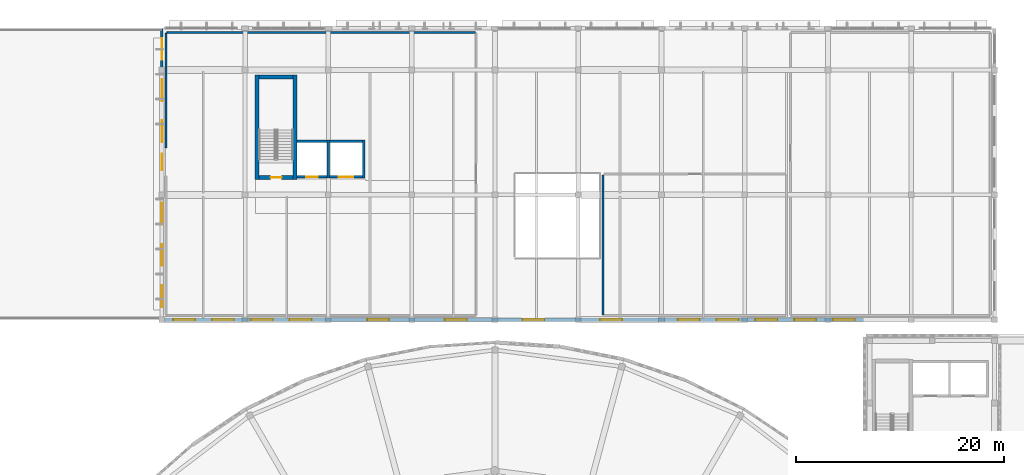
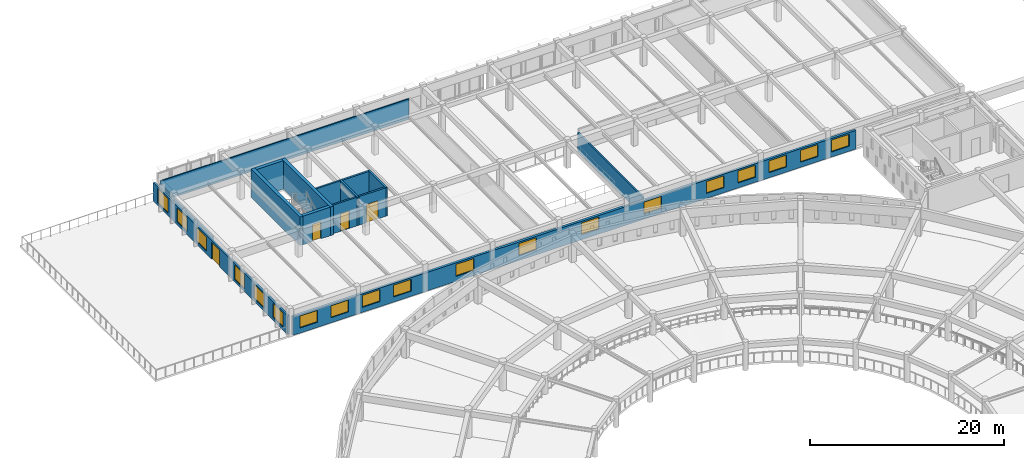
# One storey, part 117 of 155: 19 windows, 15 walls, 4 doors, 23 openings.
"""IFC4 building model written with IfcOpenShell, lengths in metres."""

import ifcopenshell
import ifcopenshell.guid

model = None  # the IFC model being written
_history = None  # IfcOwnerHistory: only IFC2X3 demands one
_inside = {}  # id of a spatial element -> (the spatial element, [elements in it])
_under = {}  # id of a project, library or spatial element -> (it, [spatial elements below it])
_declared = {}  # id of a project -> (the project, [libraries it declares])
_typed = {}  # id of a type object -> (the type object, [elements of that type])
_made_of = {}  # id of a material, layer set ... -> (it, [elements and type objects made of it])


def new_model(schema):
    """Start an empty IFC model of exactly this schema.

    Asked for "IFC4X3", IfcOpenShell would pick the latest addendum, in which some entities
    have other attributes; the version numbers below select the first issue.
    IFC2X3 requires an IfcOwnerHistory on every rooted entity: one is made here for all.
    """
    global model, _history
    if schema == "IFC4X3":
        model = ifcopenshell.file(schema_version=(4, 3, 0, 0))
    else:
        model = ifcopenshell.file(schema=schema)
    _inside.clear()
    _under.clear()
    _declared.clear()
    _typed.clear()
    _made_of.clear()
    _history = None
    if model.schema == "IFC2X3":
        org = make("IfcOrganization", Name="unknown")
        user = make(
            "IfcPersonAndOrganization",
            ThePerson=make("IfcPerson", FamilyName="unknown"),
            TheOrganization=org,
        )
        app = make(
            "IfcApplication",
            ApplicationDeveloper=org,
            Version="unknown",
            ApplicationFullName="unknown",
            ApplicationIdentifier="unknown",
        )
        _history = make(
            "IfcOwnerHistory",
            OwningUser=user,
            OwningApplication=app,
            ChangeAction="ADDED",
            CreationDate=0,
        )
    return model


def make(cls, **values):
    """One entity of the class cls with the attributes given. An attribute that is None is left unset."""
    return model.create_entity(
        cls, **{name: value for name, value in values.items() if value is not None}
    )


def rooted(cls, **values):
    """An entity with a GlobalId (a new one), such as an element, a storey or a relation."""
    return make(cls, GlobalId=ifcopenshell.guid.new(), OwnerHistory=_history, **values)


def si_unit(unit_type, name, prefix=None):
    """IfcSIUnit, for example si_unit("LENGTHUNIT", "METRE", prefix="MILLI")."""
    return make("IfcSIUnit", UnitType=unit_type, Prefix=prefix, Name=name)


def assignment(units):
    """IfcUnitAssignment: the units of a project."""
    return None if units is None else make("IfcUnitAssignment", Units=units)


def point(xyz):
    """IfcCartesianPoint."""
    return None if xyz is None else make("IfcCartesianPoint", Coordinates=xyz)


def direction(xyz):
    """IfcDirection."""
    return None if xyz is None else make("IfcDirection", DirectionRatios=xyz)


def frame(location, z_axis=None, x_axis=None):
    """IfcAxis2Placement3D, a coordinate frame: its origin and axes. An axis left out is left unset."""
    return make(
        "IfcAxis2Placement3D",
        Location=point(location),
        Axis=direction(z_axis),
        RefDirection=direction(x_axis),
    )


def frame_2d(location, x_axis=None):
    """IfcAxis2Placement2D, a coordinate frame in the plane: its origin and x axis."""
    return make(
        "IfcAxis2Placement2D", Location=point(location), RefDirection=direction(x_axis)
    )


def origin():
    """The frame at (0, 0, 0) with its axes left unset."""
    return frame((0.0, 0.0, 0.0))


def place(relative_to, where):
    """IfcLocalPlacement: puts the frame where relative to a parent placement (None: the world)."""
    return make(
        "IfcLocalPlacement", PlacementRelTo=relative_to, RelativePlacement=where
    )


def context(
    kind, dimensions, precision=None, world=None, true_north=None, identifier=None
):
    """IfcGeometricRepresentationContext, for example the 3D "Model" context."""
    return make(
        "IfcGeometricRepresentationContext",
        ContextIdentifier=identifier,
        ContextType=kind,
        CoordinateSpaceDimension=dimensions,
        Precision=precision,
        WorldCoordinateSystem=world,
        TrueNorth=true_north,
    )


def subcontext(parent, identifier, kind, view, scale=None):
    """IfcGeometricRepresentationSubContext, for example "Body" below "Model"."""
    return make(
        "IfcGeometricRepresentationSubContext",
        ContextIdentifier=identifier,
        ContextType=kind,
        ParentContext=parent,
        TargetScale=scale,
        TargetView=view,
    )


def project(units=None, contexts=None):
    """IfcProject with its units and contexts."""
    return rooted(
        "IfcProject",
        Name="project",
        RepresentationContexts=contexts,
        UnitsInContext=assignment(units),
    )


def spatial(cls, under=None, at=None, **own):
    """A site, building, storey or space (cls), placed at a placement, below another one or the project."""
    s = rooted(cls, ObjectPlacement=at, **own)
    if under is not None:
        _under.setdefault(under.id(), (under, []))[1].append(s)
    return s


def profile(cls, at=None, kind="AREA", **sizes):
    """A parametric profile (cls). Its sizes go by their IFC names, for example OverallWidth=200.0."""
    return make(cls, ProfileType=kind, Position=at, **sizes)


def rectangle(**sizes):
    """IfcRectangleProfileDef."""
    return profile("IfcRectangleProfileDef", **sizes)


def extrude(swept, where, along, depth):
    """IfcExtrudedAreaSolid: the profile swept, set in the frame where, extruded along a direction by depth."""
    return make(
        "IfcExtrudedAreaSolid",
        SweptArea=swept,
        Position=where,
        ExtrudedDirection=direction(along),
        Depth=depth,
    )


def shape(context_of_items, identifier, shape_type, items):
    """IfcShapeRepresentation: the items that make up one representation, for example the "Body"."""
    return make(
        "IfcShapeRepresentation",
        ContextOfItems=context_of_items,
        RepresentationIdentifier=identifier,
        RepresentationType=shape_type,
        Items=items,
    )


def material(Name=None, Category=None):
    """IfcMaterial."""
    return make("IfcMaterial", Name=Name, Category=Category)


def layer(
    of_material, thickness, ventilated=None, Name=None, Category=None, Priority=None
):
    """IfcMaterialLayer: one layer of a wall or slab, of a material (None: an air gap)."""
    return make(
        "IfcMaterialLayer",
        Material=of_material,
        LayerThickness=thickness,
        IsVentilated=ventilated,
        Name=Name,
        Category=Category,
        Priority=Priority,
    )


def layer_set(layers, Name=None):
    """IfcMaterialLayerSet."""
    return make("IfcMaterialLayerSet", MaterialLayers=layers, LayerSetName=Name)


def made_of(thing, what):
    """Note that an element or type object is made of a material, layer set ...; save() writes the relation."""
    if what is not None:
        _made_of.setdefault(what.id(), (what, []))[1].append(thing)
    return thing


def type_object(cls, material=None, **own):
    """A type object (cls), such as IfcWallType, which elements share."""
    return made_of(rooted(cls, **own), material)


def element(
    cls,
    number,
    at=None,
    inside=None,
    cuts=None,
    type_object=None,
    material=None,
    context=None,
    identifier="Body",
    shape_type=None,
    held_by="IfcProductDefinitionShape",
    body=None,
    shapes=None,
    **own,
):
    """One element of the class cls, such as IfcWall. Its Tag is "e" and its number.

    at: its placement. inside: the storey or other place that contains it. cuts: it is an
    opening in that element (IfcRelVoidsElement). A single representation is given by context,
    identifier, shape_type and body (its items); several are given by shapes. held_by: the class
    of the entity that holds the representations. save() writes the other relations.
    """
    e = rooted(cls, Tag="e%d" % number, ObjectPlacement=at, **own)
    if body is not None:
        shapes = [shape(context, identifier, shape_type, body)]
    if shapes is not None:
        e.Representation = make(held_by, Representations=shapes)
    if inside is not None:
        _inside.setdefault(inside.id(), (inside, []))[1].append(e)
    if cuts is not None:
        rooted(
            "IfcRelVoidsElement", RelatingBuildingElement=cuts, RelatedOpeningElement=e
        )
    if type_object is not None:
        _typed.setdefault(type_object.id(), (type_object, []))[1].append(e)
    return made_of(e, material)


def fill(opening, filler):
    """IfcRelFillsElement: the door or window that sits in an opening."""
    return rooted(
        "IfcRelFillsElement",
        RelatingOpeningElement=opening,
        RelatedBuildingElement=filler,
    )


def aggregate(whole, parts):
    """IfcRelAggregates: a whole, such as a stair, and the parts it consists of."""
    return rooted("IfcRelAggregates", RelatingObject=whole, RelatedObjects=parts)


def save(model, path):
    """Write the relations noted so far, then the file.

    IfcRelAggregates (storeys below a building ...), IfcRelContainedInSpatialStructure (elements
    in a storey), IfcRelDefinesByType, IfcRelAssociatesMaterial and IfcRelDeclares: one each for
    every whole, place, type object, material and project.
    """
    for whole, parts in _under.values():
        aggregate(whole, parts)
    for where, things in _inside.values():
        rooted(
            "IfcRelContainedInSpatialStructure",
            RelatedElements=things,
            RelatingStructure=where,
        )
    for kind, things in _typed.values():
        rooted("IfcRelDefinesByType", RelatedObjects=things, RelatingType=kind)
    for what, things in _made_of.values():
        rooted("IfcRelAssociatesMaterial", RelatedObjects=things, RelatingMaterial=what)
    for by, libraries in _declared.values():
        rooted("IfcRelDeclares", RelatingContext=by, RelatedDefinitions=libraries)
    model.write(path)


model = new_model("IFC4")

# Units and contexts
model_context = context("Model", 3, precision=1e-05, world=origin(), true_north=direction((0.0, 1.0)))
body_context = subcontext(model_context, "Body", "Model", "MODEL_VIEW")
ifc_project = project(units=[si_unit("LENGTHUNIT", "METRE"), si_unit("AREAUNIT", "SQUARE_METRE"), si_unit("VOLUMEUNIT", "CUBIC_METRE"), si_unit("PLANEANGLEUNIT", "RADIAN"), si_unit("MASSUNIT", "GRAM", prefix="KILO")], contexts=[model_context])

# Site, building, storey
site_placement = place(None, origin())
site = spatial("IfcSite", under=ifc_project, at=site_placement, CompositionType="ELEMENT")
building_placement = place(site_placement, origin())
building = spatial("IfcBuilding", under=site, at=building_placement, Name="Larkveld Mobility Hub", CompositionType="ELEMENT")
storey_placement = place(building_placement, frame((0.0, 0.0, 8.39990234375)))
storey = spatial("IfcBuildingStorey", under=building, at=storey_placement, Name="L02", CompositionType="ELEMENT", Elevation=8.39990234375)

# Wall, openings, door, windows
ifc_material_1 = material(Name="Precast concrete C50/60", Category="concrete")
ifc_layer_1 = layer(ifc_material_1, 0.239990234375, Name="Precast concrete C50/60", Category="concrete")
ifc_layer_set_1 = layer_set([ifc_layer_1], Name="Precast concrete C50/60")
wall_type_1 = type_object("IfcWallType", Name="WL-EXT-240", PredefinedType="SOLIDWALL", material=ifc_layer_set_1)
wall_1_placement = place(storey_placement, frame((16.0, 126.0, 0.0), z_axis=(0.0, 0.0, 1.0), x_axis=(0.0, -1.0, 0.0)))
wall_1 = element("IfcWall", 1, at=wall_1_placement, inside=storey, type_object=wall_type_1, Name="Bicycle Hall West End Wall L02-0196", PredefinedType="SOLIDWALL", context=body_context, shape_type="SweptSolid", body=[
    extrude(rectangle(XDim=27.715087890625, YDim=0.239990234375, at=frame_2d((13.857421875, 0.0))), origin(), (0.0, 0.0, 1.0), 2.34521484375),
])
opening_1_placement = place(wall_1_placement, frame((12.04296875, 0.0, 0.0)))
opening_1 = element("IfcOpeningElement", 2, at=opening_1_placement, cuts=wall_1, Name="Opening ED07", PredefinedType="OPENING", context=body_context, shape_type="SweptSolid", body=[
    extrude(rectangle(XDim=1.60009765625, YDim=2.10009765625, at=frame_2d((0.800048828125, 1.050048828125))), frame((0.0, 0.1298828125, 0.0), z_axis=(0.0, -1.0, 0.0), x_axis=(1.0, 0.0, 0.0)), (0.0, 0.0, 1.0), 0.260009765625),
])
opening_2_placement = place(wall_1_placement, frame((0.929931640625, 0.0, 0.35009765625)))
opening_2 = element("IfcOpeningElement", 3, at=opening_2_placement, cuts=wall_1, Name="Opening W13", PredefinedType="OPENING", context=body_context, shape_type="SweptSolid", body=[
    extrude(rectangle(XDim=2.10009765625, YDim=1.800048828125, at=frame_2d((1.050048828125, 0.89990234375))), frame((0.0, 0.1298828125, 0.0), z_axis=(0.0, -1.0, 0.0), x_axis=(1.0, 0.0, 0.0)), (0.0, 0.0, 1.0), 0.260009765625),
])
opening_3_placement = place(wall_1_placement, frame((4.888916015625, 0.0, 0.35009765625)))
opening_3 = element("IfcOpeningElement", 4, at=opening_3_placement, cuts=wall_1, Name="Opening W13", PredefinedType="OPENING", context=body_context, shape_type="SweptSolid", body=[
    extrude(rectangle(XDim=2.10009765625, YDim=1.800048828125, at=frame_2d((1.050048828125, 0.89990234375))), frame((0.0, 0.1298828125, 0.0), z_axis=(0.0, -1.0, 0.0), x_axis=(1.0, 0.0, 0.0)), (0.0, 0.0, 1.0), 0.260009765625),
])
opening_4_placement = place(wall_1_placement, frame((8.847900390625, 0.0, 0.35009765625)))
opening_4 = element("IfcOpeningElement", 5, at=opening_4_placement, cuts=wall_1, Name="Opening W13", PredefinedType="OPENING", context=body_context, shape_type="SweptSolid", body=[
    extrude(rectangle(XDim=2.10009765625, YDim=1.800048828125, at=frame_2d((1.050048828125, 0.89990234375))), frame((0.0, 0.1298828125, 0.0), z_axis=(0.0, -1.0, 0.0), x_axis=(1.0, 0.0, 0.0)), (0.0, 0.0, 1.0), 0.260009765625),
])
opening_5_placement = place(wall_1_placement, frame((16.76708984375, 0.0, 0.35009765625)))
opening_5 = element("IfcOpeningElement", 6, at=opening_5_placement, cuts=wall_1, Name="Opening W13", PredefinedType="OPENING", context=body_context, shape_type="SweptSolid", body=[
    extrude(rectangle(XDim=2.10009765625, YDim=1.800048828125, at=frame_2d((1.050048828125, 0.89990234375))), frame((0.0, 0.1298828125, 0.0), z_axis=(0.0, -1.0, 0.0), x_axis=(1.0, 0.0, 0.0)), (0.0, 0.0, 1.0), 0.260009765625),
])
opening_6_placement = place(wall_1_placement, frame((20.72607421875, 0.0, 0.35009765625)))
opening_6 = element("IfcOpeningElement", 7, at=opening_6_placement, cuts=wall_1, Name="Opening W13", PredefinedType="OPENING", context=body_context, shape_type="SweptSolid", body=[
    extrude(rectangle(XDim=2.10009765625, YDim=1.800048828125, at=frame_2d((1.050048828125, 0.89990234375))), frame((0.0, 0.1298828125, 0.0), z_axis=(0.0, -1.0, 0.0), x_axis=(1.0, 0.0, 0.0)), (0.0, 0.0, 1.0), 0.260009765625),
])
opening_7_placement = place(wall_1_placement, frame((24.68505859375, 0.0, 0.35009765625)))
opening_7 = element("IfcOpeningElement", 8, at=opening_7_placement, cuts=wall_1, Name="Opening W13", PredefinedType="OPENING", context=body_context, shape_type="SweptSolid", body=[
    extrude(rectangle(XDim=2.10009765625, YDim=1.800048828125, at=frame_2d((1.050048828125, 0.89990234375))), frame((0.0, 0.1298828125, 0.0), z_axis=(0.0, -1.0, 0.0), x_axis=(1.0, 0.0, 0.0)), (0.0, 0.0, 1.0), 0.260009765625),
])
ifc_material_2 = material(Name="Anodised aluminium glazed terrace door", Category="aluminium")
door_type_1 = type_object("IfcDoorType", Name="DR-EXT-TER16", OperationType="DOUBLE_DOOR_SINGLE_SWING", PredefinedType="DOOR", material=ifc_material_2)
door_1_placement = place(opening_1_placement, origin())
door_1 = element("IfcDoor", 9, at=door_1_placement, inside=storey, type_object=door_type_1, Name="West Cycle Terrace Door L02 EDR-L02-016", OperationType="DOUBLE_DOOR_SINGLE_SWING", OverallHeight=2.10009765625, OverallWidth=1.60009765625, PredefinedType="DOOR", context=body_context, shape_type="SweptSolid", body=[
    extrude(rectangle(XDim=1.60009765625, YDim=2.10009765625, at=frame_2d((0.800048828125, 1.050048828125))), frame((0.0, 0.02490234375, 0.0), z_axis=(0.0, -1.0, 0.0), x_axis=(1.0, 0.0, 0.0)), (0.0, 0.0, 1.0), 0.050048828125),
])
fill(opening_1, door_1)
ifc_material_3 = material(Name="Low-E double glazing in aluminium frame", Category="aluminium")
window_type_1 = type_object("IfcWindowType", Name="WN-ALU-13", PartitioningType="SINGLE_PANEL", PredefinedType="WINDOW", material=ifc_material_3)
window_1_placement = place(opening_2_placement, origin())
window_1 = element("IfcWindow", 10, at=window_1_placement, inside=storey, type_object=window_type_1, Name="Window W13 (0946)", OverallHeight=1.800048828125, OverallWidth=2.10009765625, PartitioningType="SINGLE_PANEL", PredefinedType="WINDOW", context=body_context, shape_type="SweptSolid", body=[
    extrude(rectangle(XDim=2.10009765625, YDim=1.800048828125, at=frame_2d((1.050048828125, 0.89990234375))), frame((0.0, 0.030029296875, 0.0), z_axis=(0.0, -1.0, 0.0), x_axis=(1.0, 0.0, 0.0)), (0.0, 0.0, 1.0), 0.06005859375),
])
fill(opening_2, window_1)
window_2_placement = place(opening_3_placement, origin())
window_2 = element("IfcWindow", 11, at=window_2_placement, inside=storey, type_object=window_type_1, Name="Window W13 (0947)", OverallHeight=1.800048828125, OverallWidth=2.10009765625, PartitioningType="SINGLE_PANEL", PredefinedType="WINDOW", context=body_context, shape_type="SweptSolid", body=[
    extrude(rectangle(XDim=2.10009765625, YDim=1.800048828125, at=frame_2d((1.050048828125, 0.89990234375))), frame((0.0, 0.030029296875, 0.0), z_axis=(0.0, -1.0, 0.0), x_axis=(1.0, 0.0, 0.0)), (0.0, 0.0, 1.0), 0.06005859375),
])
fill(opening_3, window_2)
window_3_placement = place(opening_4_placement, origin())
window_3 = element("IfcWindow", 12, at=window_3_placement, inside=storey, type_object=window_type_1, Name="Window W13 (0948)", OverallHeight=1.800048828125, OverallWidth=2.10009765625, PartitioningType="SINGLE_PANEL", PredefinedType="WINDOW", context=body_context, shape_type="SweptSolid", body=[
    extrude(rectangle(XDim=2.10009765625, YDim=1.800048828125, at=frame_2d((1.050048828125, 0.89990234375))), frame((0.0, 0.030029296875, 0.0), z_axis=(0.0, -1.0, 0.0), x_axis=(1.0, 0.0, 0.0)), (0.0, 0.0, 1.0), 0.06005859375),
])
fill(opening_4, window_3)
window_4_placement = place(opening_5_placement, origin())
window_4 = element("IfcWindow", 13, at=window_4_placement, inside=storey, type_object=window_type_1, Name="Window W13 (0949)", OverallHeight=1.800048828125, OverallWidth=2.10009765625, PartitioningType="SINGLE_PANEL", PredefinedType="WINDOW", context=body_context, shape_type="SweptSolid", body=[
    extrude(rectangle(XDim=2.10009765625, YDim=1.800048828125, at=frame_2d((1.050048828125, 0.89990234375))), frame((0.0, 0.030029296875, 0.0), z_axis=(0.0, -1.0, 0.0), x_axis=(1.0, 0.0, 0.0)), (0.0, 0.0, 1.0), 0.06005859375),
])
fill(opening_5, window_4)
window_5_placement = place(opening_6_placement, origin())
window_5 = element("IfcWindow", 14, at=window_5_placement, inside=storey, type_object=window_type_1, Name="Window W13 (0950)", OverallHeight=1.800048828125, OverallWidth=2.10009765625, PartitioningType="SINGLE_PANEL", PredefinedType="WINDOW", context=body_context, shape_type="SweptSolid", body=[
    extrude(rectangle(XDim=2.10009765625, YDim=1.800048828125, at=frame_2d((1.050048828125, 0.89990234375))), frame((0.0, 0.030029296875, 0.0), z_axis=(0.0, -1.0, 0.0), x_axis=(1.0, 0.0, 0.0)), (0.0, 0.0, 1.0), 0.06005859375),
])
fill(opening_6, window_5)
window_6_placement = place(opening_7_placement, origin())
window_6 = element("IfcWindow", 15, at=window_6_placement, inside=storey, type_object=window_type_1, Name="Window W13 (0951)", OverallHeight=1.800048828125, OverallWidth=2.10009765625, PartitioningType="SINGLE_PANEL", PredefinedType="WINDOW", context=body_context, shape_type="SweptSolid", body=[
    extrude(rectangle(XDim=2.10009765625, YDim=1.800048828125, at=frame_2d((1.050048828125, 0.89990234375))), frame((0.0, 0.030029296875, 0.0), z_axis=(0.0, -1.0, 0.0), x_axis=(1.0, 0.0, 0.0)), (0.0, 0.0, 1.0), 0.06005859375),
])
fill(opening_7, window_6)

# Wall, openings, windows
ifc_layer_2 = layer(ifc_material_1, 0.300048828125, Name="Precast concrete C50/60", Category="concrete")
ifc_layer_set_2 = layer_set([ifc_layer_2], Name="Precast concrete C50/60")
wall_type_2 = type_object("IfcWallType", Name="WL-EXT-300", PredefinedType="SOLIDWALL", material=ifc_layer_set_2)
wall_2_placement = place(storey_placement, frame((16.284912109375, 98.0, 0.0), z_axis=(0.0, 0.0, 1.0), x_axis=(1.0, 0.0, 0.0)))
wall_2 = element("IfcWall", 16, at=wall_2_placement, inside=storey, type_object=wall_type_2, Name="Bicycle Hall South Court Wall L02-0195", PredefinedType="SOLIDWALL", context=body_context, shape_type="SweptSolid", body=[
    extrude(rectangle(XDim=67.114990234375, YDim=0.300048828125, at=frame_2d((33.5576171875, 0.0))), origin(), (0.0, 0.0, 1.0), 2.34521484375),
])
opening_8_placement = place(wall_2_placement, frame((0.81396484375, 0.0, 0.64501953125)))
opening_8 = element("IfcOpeningElement", 17, at=opening_8_placement, cuts=wall_2, Name="Opening W08", PredefinedType="OPENING", context=body_context, shape_type="SweptSolid", body=[
    extrude(rectangle(XDim=2.10009765625, YDim=1.5, at=frame_2d((1.050048828125, 0.75))), frame((0.0, 0.16015625, 0.0), z_axis=(0.0, -1.0, 0.0), x_axis=(1.0, 0.0, 0.0)), (0.0, 0.0, 1.0), 0.320068359375),
])
opening_9_placement = place(wall_2_placement, frame((4.54296875, 0.0, 0.64501953125)))
opening_9 = element("IfcOpeningElement", 18, at=opening_9_placement, cuts=wall_2, Name="Opening W08", PredefinedType="OPENING", context=body_context, shape_type="SweptSolid", body=[
    extrude(rectangle(XDim=2.10009765625, YDim=1.5, at=frame_2d((1.050048828125, 0.75))), frame((0.0, 0.16015625, 0.0), z_axis=(0.0, -1.0, 0.0), x_axis=(1.0, 0.0, 0.0)), (0.0, 0.0, 1.0), 0.320068359375),
])
opening_10_placement = place(wall_2_placement, frame((8.27197265625, 0.0, 0.64501953125)))
opening_10 = element("IfcOpeningElement", 19, at=opening_10_placement, cuts=wall_2, Name="Opening W08", PredefinedType="OPENING", context=body_context, shape_type="SweptSolid", body=[
    extrude(rectangle(XDim=2.10009765625, YDim=1.5, at=frame_2d((1.050048828125, 0.75))), frame((0.0, 0.16015625, 0.0), z_axis=(0.0, -1.0, 0.0), x_axis=(1.0, 0.0, 0.0)), (0.0, 0.0, 1.0), 0.320068359375),
])
opening_11_placement = place(wall_2_placement, frame((12.0, 0.0, 0.64501953125)))
opening_11 = element("IfcOpeningElement", 20, at=opening_11_placement, cuts=wall_2, Name="Opening W08", PredefinedType="OPENING", context=body_context, shape_type="SweptSolid", body=[
    extrude(rectangle(XDim=2.10009765625, YDim=1.5, at=frame_2d((1.050048828125, 0.75))), frame((0.0, 0.16015625, 0.0), z_axis=(0.0, -1.0, 0.0), x_axis=(1.0, 0.0, 0.0)), (0.0, 0.0, 1.0), 0.320068359375),
])
opening_12_placement = place(wall_2_placement, frame((19.45703125, 0.0, 0.64501953125)))
opening_12 = element("IfcOpeningElement", 21, at=opening_12_placement, cuts=wall_2, Name="Opening W08", PredefinedType="OPENING", context=body_context, shape_type="SweptSolid", body=[
    extrude(rectangle(XDim=2.10009765625, YDim=1.5, at=frame_2d((1.050048828125, 0.75))), frame((0.0, 0.16015625, 0.0), z_axis=(0.0, -1.0, 0.0), x_axis=(1.0, 0.0, 0.0)), (0.0, 0.0, 1.0), 0.320068359375),
])
opening_13_placement = place(wall_2_placement, frame((26.9150390625, 0.0, 0.64501953125)))
opening_13 = element("IfcOpeningElement", 22, at=opening_13_placement, cuts=wall_2, Name="Opening W08", PredefinedType="OPENING", context=body_context, shape_type="SweptSolid", body=[
    extrude(rectangle(XDim=2.10009765625, YDim=1.5, at=frame_2d((1.050048828125, 0.75))), frame((0.0, 0.16015625, 0.0), z_axis=(0.0, -1.0, 0.0), x_axis=(1.0, 0.0, 0.0)), (0.0, 0.0, 1.0), 0.320068359375),
])
opening_14_placement = place(wall_2_placement, frame((34.3720703125, 0.0, 0.64501953125)))
opening_14 = element("IfcOpeningElement", 23, at=opening_14_placement, cuts=wall_2, Name="Opening W08", PredefinedType="OPENING", context=body_context, shape_type="SweptSolid", body=[
    extrude(rectangle(XDim=2.10009765625, YDim=1.5, at=frame_2d((1.050048828125, 0.75))), frame((0.0, 0.16015625, 0.0), z_axis=(0.0, -1.0, 0.0), x_axis=(1.0, 0.0, 0.0)), (0.0, 0.0, 1.0), 0.320068359375),
])
opening_15_placement = place(wall_2_placement, frame((41.8291015625, 0.0, 0.64501953125)))
opening_15 = element("IfcOpeningElement", 24, at=opening_15_placement, cuts=wall_2, Name="Opening W08", PredefinedType="OPENING", context=body_context, shape_type="SweptSolid", body=[
    extrude(rectangle(XDim=2.10009765625, YDim=1.5, at=frame_2d((1.050048828125, 0.75))), frame((0.0, 0.16015625, 0.0), z_axis=(0.0, -1.0, 0.0), x_axis=(1.0, 0.0, 0.0)), (0.0, 0.0, 1.0), 0.320068359375),
])
opening_16_placement = place(wall_2_placement, frame((49.285888671875, 0.0, 0.64501953125)))
opening_16 = element("IfcOpeningElement", 25, at=opening_16_placement, cuts=wall_2, Name="Opening W08", PredefinedType="OPENING", context=body_context, shape_type="SweptSolid", body=[
    extrude(rectangle(XDim=2.10009765625, YDim=1.5, at=frame_2d((1.050048828125, 0.75))), frame((0.0, 0.16015625, 0.0), z_axis=(0.0, -1.0, 0.0), x_axis=(1.0, 0.0, 0.0)), (0.0, 0.0, 1.0), 0.320068359375),
])
opening_17_placement = place(wall_2_placement, frame((53.014892578125, 0.0, 0.64501953125)))
opening_17 = element("IfcOpeningElement", 26, at=opening_17_placement, cuts=wall_2, Name="Opening W08", PredefinedType="OPENING", context=body_context, shape_type="SweptSolid", body=[
    extrude(rectangle(XDim=2.10009765625, YDim=1.5, at=frame_2d((1.050048828125, 0.75))), frame((0.0, 0.16015625, 0.0), z_axis=(0.0, -1.0, 0.0), x_axis=(1.0, 0.0, 0.0)), (0.0, 0.0, 1.0), 0.320068359375),
])
opening_18_placement = place(wall_2_placement, frame((56.742919921875, 0.0, 0.64501953125)))
opening_18 = element("IfcOpeningElement", 27, at=opening_18_placement, cuts=wall_2, Name="Opening W08", PredefinedType="OPENING", context=body_context, shape_type="SweptSolid", body=[
    extrude(rectangle(XDim=2.10009765625, YDim=1.5, at=frame_2d((1.050048828125, 0.75))), frame((0.0, 0.16015625, 0.0), z_axis=(0.0, -1.0, 0.0), x_axis=(1.0, 0.0, 0.0)), (0.0, 0.0, 1.0), 0.320068359375),
])
opening_19_placement = place(wall_2_placement, frame((60.471923828125, 0.0, 0.64501953125)))
opening_19 = element("IfcOpeningElement", 28, at=opening_19_placement, cuts=wall_2, Name="Opening W08", PredefinedType="OPENING", context=body_context, shape_type="SweptSolid", body=[
    extrude(rectangle(XDim=2.10009765625, YDim=1.5, at=frame_2d((1.050048828125, 0.75))), frame((0.0, 0.16015625, 0.0), z_axis=(0.0, -1.0, 0.0), x_axis=(1.0, 0.0, 0.0)), (0.0, 0.0, 1.0), 0.320068359375),
])
opening_20_placement = place(wall_2_placement, frame((64.200927734375, 0.0, 0.64501953125)))
opening_20 = element("IfcOpeningElement", 29, at=opening_20_placement, cuts=wall_2, Name="Opening W08", PredefinedType="OPENING", context=body_context, shape_type="SweptSolid", body=[
    extrude(rectangle(XDim=2.10009765625, YDim=1.5, at=frame_2d((1.050048828125, 0.75))), frame((0.0, 0.16015625, 0.0), z_axis=(0.0, -1.0, 0.0), x_axis=(1.0, 0.0, 0.0)), (0.0, 0.0, 1.0), 0.320068359375),
])
window_type_2 = type_object("IfcWindowType", Name="WN-ALU-08", PartitioningType="SINGLE_PANEL", PredefinedType="WINDOW", material=ifc_material_3)
window_7_placement = place(opening_8_placement, origin())
window_7 = element("IfcWindow", 30, at=window_7_placement, inside=storey, type_object=window_type_2, Name="Window W08 (0933)", OverallHeight=1.5, OverallWidth=2.10009765625, PartitioningType="SINGLE_PANEL", PredefinedType="WINDOW", context=body_context, shape_type="SweptSolid", body=[
    extrude(rectangle(XDim=2.10009765625, YDim=1.5, at=frame_2d((1.050048828125, 0.75))), frame((0.0, 0.030029296875, 0.0), z_axis=(0.0, -1.0, 0.0), x_axis=(1.0, 0.0, 0.0)), (0.0, 0.0, 1.0), 0.06005859375),
])
fill(opening_8, window_7)
window_8_placement = place(opening_9_placement, origin())
window_8 = element("IfcWindow", 31, at=window_8_placement, inside=storey, type_object=window_type_2, Name="Window W08 (0934)", OverallHeight=1.5, OverallWidth=2.10009765625, PartitioningType="SINGLE_PANEL", PredefinedType="WINDOW", context=body_context, shape_type="SweptSolid", body=[
    extrude(rectangle(XDim=2.10009765625, YDim=1.5, at=frame_2d((1.050048828125, 0.75))), frame((0.0, 0.030029296875, 0.0), z_axis=(0.0, -1.0, 0.0), x_axis=(1.0, 0.0, 0.0)), (0.0, 0.0, 1.0), 0.06005859375),
])
fill(opening_9, window_8)
window_9_placement = place(opening_10_placement, origin())
window_9 = element("IfcWindow", 32, at=window_9_placement, inside=storey, type_object=window_type_2, Name="Window W08 (0935)", OverallHeight=1.5, OverallWidth=2.10009765625, PartitioningType="SINGLE_PANEL", PredefinedType="WINDOW", context=body_context, shape_type="SweptSolid", body=[
    extrude(rectangle(XDim=2.10009765625, YDim=1.5, at=frame_2d((1.050048828125, 0.75))), frame((0.0, 0.030029296875, 0.0), z_axis=(0.0, -1.0, 0.0), x_axis=(1.0, 0.0, 0.0)), (0.0, 0.0, 1.0), 0.06005859375),
])
fill(opening_10, window_9)
window_10_placement = place(opening_11_placement, origin())
window_10 = element("IfcWindow", 33, at=window_10_placement, inside=storey, type_object=window_type_2, Name="Window W08 (0936)", OverallHeight=1.5, OverallWidth=2.10009765625, PartitioningType="SINGLE_PANEL", PredefinedType="WINDOW", context=body_context, shape_type="SweptSolid", body=[
    extrude(rectangle(XDim=2.10009765625, YDim=1.5, at=frame_2d((1.050048828125, 0.75))), frame((0.0, 0.030029296875, 0.0), z_axis=(0.0, -1.0, 0.0), x_axis=(1.0, 0.0, 0.0)), (0.0, 0.0, 1.0), 0.06005859375),
])
fill(opening_11, window_10)
window_11_placement = place(opening_12_placement, origin())
window_11 = element("IfcWindow", 34, at=window_11_placement, inside=storey, type_object=window_type_2, Name="Window W08 (0937)", OverallHeight=1.5, OverallWidth=2.10009765625, PartitioningType="SINGLE_PANEL", PredefinedType="WINDOW", context=body_context, shape_type="SweptSolid", body=[
    extrude(rectangle(XDim=2.10009765625, YDim=1.5, at=frame_2d((1.050048828125, 0.75))), frame((0.0, 0.030029296875, 0.0), z_axis=(0.0, -1.0, 0.0), x_axis=(1.0, 0.0, 0.0)), (0.0, 0.0, 1.0), 0.06005859375),
])
fill(opening_12, window_11)
window_12_placement = place(opening_13_placement, origin())
window_12 = element("IfcWindow", 35, at=window_12_placement, inside=storey, type_object=window_type_2, Name="Window W08 (0938)", OverallHeight=1.5, OverallWidth=2.10009765625, PartitioningType="SINGLE_PANEL", PredefinedType="WINDOW", context=body_context, shape_type="SweptSolid", body=[
    extrude(rectangle(XDim=2.10009765625, YDim=1.5, at=frame_2d((1.050048828125, 0.75))), frame((0.0, 0.030029296875, 0.0), z_axis=(0.0, -1.0, 0.0), x_axis=(1.0, 0.0, 0.0)), (0.0, 0.0, 1.0), 0.06005859375),
])
fill(opening_13, window_12)
window_13_placement = place(opening_14_placement, origin())
window_13 = element("IfcWindow", 36, at=window_13_placement, inside=storey, type_object=window_type_2, Name="Window W08 (0939)", OverallHeight=1.5, OverallWidth=2.10009765625, PartitioningType="SINGLE_PANEL", PredefinedType="WINDOW", context=body_context, shape_type="SweptSolid", body=[
    extrude(rectangle(XDim=2.10009765625, YDim=1.5, at=frame_2d((1.050048828125, 0.75))), frame((0.0, 0.030029296875, 0.0), z_axis=(0.0, -1.0, 0.0), x_axis=(1.0, 0.0, 0.0)), (0.0, 0.0, 1.0), 0.06005859375),
])
fill(opening_14, window_13)
window_14_placement = place(opening_15_placement, origin())
window_14 = element("IfcWindow", 37, at=window_14_placement, inside=storey, type_object=window_type_2, Name="Window W08 (0940)", OverallHeight=1.5, OverallWidth=2.10009765625, PartitioningType="SINGLE_PANEL", PredefinedType="WINDOW", context=body_context, shape_type="SweptSolid", body=[
    extrude(rectangle(XDim=2.10009765625, YDim=1.5, at=frame_2d((1.050048828125, 0.75))), frame((0.0, 0.030029296875, 0.0), z_axis=(0.0, -1.0, 0.0), x_axis=(1.0, 0.0, 0.0)), (0.0, 0.0, 1.0), 0.06005859375),
])
fill(opening_15, window_14)
window_15_placement = place(opening_16_placement, origin())
window_15 = element("IfcWindow", 38, at=window_15_placement, inside=storey, type_object=window_type_2, Name="Window W08 (0941)", OverallHeight=1.5, OverallWidth=2.10009765625, PartitioningType="SINGLE_PANEL", PredefinedType="WINDOW", context=body_context, shape_type="SweptSolid", body=[
    extrude(rectangle(XDim=2.10009765625, YDim=1.5, at=frame_2d((1.050048828125, 0.75))), frame((0.0, 0.030029296875, 0.0), z_axis=(0.0, -1.0, 0.0), x_axis=(1.0, 0.0, 0.0)), (0.0, 0.0, 1.0), 0.06005859375),
])
fill(opening_16, window_15)
window_16_placement = place(opening_17_placement, origin())
window_16 = element("IfcWindow", 39, at=window_16_placement, inside=storey, type_object=window_type_2, Name="Window W08 (0942)", OverallHeight=1.5, OverallWidth=2.10009765625, PartitioningType="SINGLE_PANEL", PredefinedType="WINDOW", context=body_context, shape_type="SweptSolid", body=[
    extrude(rectangle(XDim=2.10009765625, YDim=1.5, at=frame_2d((1.050048828125, 0.75))), frame((0.0, 0.030029296875, 0.0), z_axis=(0.0, -1.0, 0.0), x_axis=(1.0, 0.0, 0.0)), (0.0, 0.0, 1.0), 0.06005859375),
])
fill(opening_17, window_16)
window_17_placement = place(opening_18_placement, origin())
window_17 = element("IfcWindow", 40, at=window_17_placement, inside=storey, type_object=window_type_2, Name="Window W08 (0943)", OverallHeight=1.5, OverallWidth=2.10009765625, PartitioningType="SINGLE_PANEL", PredefinedType="WINDOW", context=body_context, shape_type="SweptSolid", body=[
    extrude(rectangle(XDim=2.10009765625, YDim=1.5, at=frame_2d((1.050048828125, 0.75))), frame((0.0, 0.030029296875, 0.0), z_axis=(0.0, -1.0, 0.0), x_axis=(1.0, 0.0, 0.0)), (0.0, 0.0, 1.0), 0.06005859375),
])
fill(opening_18, window_17)
window_18_placement = place(opening_19_placement, origin())
window_18 = element("IfcWindow", 41, at=window_18_placement, inside=storey, type_object=window_type_2, Name="Window W08 (0944)", OverallHeight=1.5, OverallWidth=2.10009765625, PartitioningType="SINGLE_PANEL", PredefinedType="WINDOW", context=body_context, shape_type="SweptSolid", body=[
    extrude(rectangle(XDim=2.10009765625, YDim=1.5, at=frame_2d((1.050048828125, 0.75))), frame((0.0, 0.030029296875, 0.0), z_axis=(0.0, -1.0, 0.0), x_axis=(1.0, 0.0, 0.0)), (0.0, 0.0, 1.0), 0.06005859375),
])
fill(opening_19, window_18)
window_19_placement = place(opening_20_placement, origin())
window_19 = element("IfcWindow", 42, at=window_19_placement, inside=storey, type_object=window_type_2, Name="Window W08 (0945)", OverallHeight=1.5, OverallWidth=2.10009765625, PartitioningType="SINGLE_PANEL", PredefinedType="WINDOW", context=body_context, shape_type="SweptSolid", body=[
    extrude(rectangle(XDim=2.10009765625, YDim=1.5, at=frame_2d((1.050048828125, 0.75))), frame((0.0, 0.030029296875, 0.0), z_axis=(0.0, -1.0, 0.0), x_axis=(1.0, 0.0, 0.0)), (0.0, 0.0, 1.0), 0.06005859375),
])
fill(opening_20, window_19)

# Walls
ifc_material_4 = material(Name="Concrete blockwork masonry 14 MPa", Category="masonry")
ifc_layer_3 = layer(ifc_material_4, 0.14990234375, Name="Concrete blockwork masonry 14 MPa", Category="masonry")
ifc_layer_set_3 = layer_set([ifc_layer_3], Name="Concrete blockwork masonry 14 MPa")
wall_type_3 = type_object("IfcWallType", Name="WL-PRT-150", PredefinedType="PARTITIONING", material=ifc_layer_set_3)
wall_3_placement = place(storey_placement, frame((16.47998046875, 125.60009765625, 0.0), z_axis=(0.0, 0.0, 1.0), x_axis=(1.0, 0.0, 0.0)))
element("IfcWall", 43, at=wall_3_placement, inside=storey, type_object=wall_type_3, Name="Safe Cycling Training Studio and Clubroom Partition 0131", PredefinedType="PARTITIONING", context=body_context, shape_type="SweptSolid", body=[
    extrude(rectangle(XDim=29.636962890625, YDim=0.14990234375, at=frame_2d((14.818359375, 0.0))), origin(), (0.0, 0.0, 1.0), 2.59521484375),
])
wall_4_placement = place(storey_placement, frame((16.39990234375, 114.507080078125, 0.0), z_axis=(0.0, 0.0, 1.0), x_axis=(0.0, 1.0, 0.0)))
element("IfcWall", 44, at=wall_4_placement, inside=storey, type_object=wall_type_3, Name="Safe Cycling Training Studio and Clubroom Partition 0133", PredefinedType="PARTITIONING", context=body_context, shape_type="SweptSolid", body=[
    extrude(rectangle(XDim=11.012939453125, YDim=0.14990234375, at=frame_2d((5.50634765625, 0.0))), origin(), (0.0, 0.0, 1.0), 2.34521484375),
])
ifc_layer_4 = layer(ifc_material_4, 0.195068359375, Name="Concrete blockwork masonry 14 MPa", Category="masonry")
ifc_layer_set_4 = layer_set([ifc_layer_4], Name="Concrete blockwork masonry 14 MPa")
wall_type_4 = type_object("IfcWallType", Name="WL-PRT-195", PredefinedType="PARTITIONING", material=ifc_layer_set_4)
wall_5_placement = place(storey_placement, frame((58.39990234375, 98.47998046875, 0.0), z_axis=(0.0, 0.0, 1.0), x_axis=(0.0, 1.0, 0.0)))
element("IfcWall", 45, at=wall_5_placement, inside=storey, type_object=wall_type_4, Name="UL-Rated E-Bike Battery Charging Vault Partition 0137", PredefinedType="PARTITIONING", context=body_context, shape_type="SweptSolid", body=[
    extrude(rectangle(XDim=13.43505859375, YDim=0.195068359375, at=frame_2d((6.717529296875, 0.0))), origin(), (0.0, 0.0, 1.0), 2.34521484375),
])
ifc_material_5 = material(Name="Concrete C40/50", Category="concrete")
ifc_layer_5 = layer(ifc_material_5, 0.219970703125, Name="Concrete C40/50", Category="concrete")
ifc_layer_set_5 = layer_set([ifc_layer_5], Name="Concrete C40/50")
wall_type_5 = type_object("IfcWallType", Name="WL-SHF-220", PredefinedType="SHEAR", material=ifc_layer_set_5)
wall_6_placement = place(storey_placement, frame((31.989990234375, 115.27001953125, 0.0), z_axis=(0.0, 0.0, 1.0), x_axis=(0.0, -1.0, 0.0)))
element("IfcWall", 46, at=wall_6_placement, inside=storey, type_object=wall_type_5, Name="Lift PL5 Shaft Wall L02-E", PredefinedType="SHEAR", context=body_context, shape_type="SweptSolid", body=[
    extrude(rectangle(XDim=3.64013671875, YDim=0.219970703125, at=frame_2d((1.820068359375, 0.0))), origin(), (0.0, 0.0, 1.0), 3.60009765625),
])

# Wall, opening, door
wall_7_placement = place(storey_placement, frame((31.8798828125, 111.739990234375, 0.0), z_axis=(0.0, 0.0, 1.0), x_axis=(-1.0, 0.0, 0.0)))
wall_7 = element("IfcWall", 47, at=wall_7_placement, inside=storey, type_object=wall_type_5, Name="Lift PL5 Shaft Wall L02-S", PredefinedType="SHEAR", context=body_context, shape_type="SweptSolid", body=[
    extrude(rectangle(XDim=2.89990234375, YDim=0.219970703125, at=frame_2d((1.449951171875, 0.0))), origin(), (0.0, 0.0, 1.0), 3.60009765625),
])
opening_21_placement = place(wall_7_placement, frame((0.89990234375, 0.0, 0.0)))
opening_21 = element("IfcOpeningElement", 48, at=opening_21_placement, cuts=wall_7, Name="Opening LD01", PredefinedType="OPENING", context=body_context, shape_type="SweptSolid", body=[
    extrude(rectangle(XDim=1.10009765625, YDim=2.199951171875, at=frame_2d((0.550048828125, 1.10009765625))), frame((0.0, 0.1201171875, 0.0), z_axis=(0.0, -1.0, 0.0), x_axis=(1.0, 0.0, 0.0)), (0.0, 0.0, 1.0), 0.239990234375),
])
ifc_material_6 = material(Name="Brushed stainless Steel S355JR sliding landing door", Category="steel")
door_type_2 = type_object("IfcDoorType", Name="DR-LD-110", OperationType="DOUBLE_DOOR_SLIDING", PredefinedType="DOOR", material=ifc_material_6)
door_2_placement = place(opening_21_placement, origin())
door_2 = element("IfcDoor", 49, at=door_2_placement, inside=storey, type_object=door_type_2, Name="Lift landing door PL5-L02", OperationType="DOUBLE_DOOR_SLIDING", OverallHeight=2.199951171875, OverallWidth=1.10009765625, PredefinedType="DOOR", context=body_context, shape_type="SweptSolid", body=[
    extrude(rectangle(XDim=1.10009765625, YDim=2.199951171875, at=frame_2d((0.550048828125, 1.10009765625))), frame((0.0, 0.02490234375, 0.0), z_axis=(0.0, -1.0, 0.0), x_axis=(1.0, 0.0, 0.0)), (0.0, 0.0, 1.0), 0.050048828125),
])
fill(opening_21, door_2)

# Walls
wall_8_placement = place(storey_placement, frame((28.97998046875, 115.159912109375, 0.0), z_axis=(0.0, 0.0, 1.0), x_axis=(1.0, 0.0, 0.0)))
element("IfcWall", 50, at=wall_8_placement, inside=storey, type_object=wall_type_5, Name="Lift PL5 Shaft Wall L02-N", PredefinedType="SHEAR", context=body_context, shape_type="SweptSolid", body=[
    extrude(rectangle(XDim=2.89990234375, YDim=0.219970703125, at=frame_2d((1.449951171875, 0.0))), origin(), (0.0, 0.0, 1.0), 3.60009765625),
])
wall_9_placement = place(storey_placement, frame((35.409912109375, 115.27001953125, 0.0), z_axis=(0.0, 0.0, 1.0), x_axis=(0.0, -1.0, 0.0)))
element("IfcWall", 51, at=wall_9_placement, inside=storey, type_object=wall_type_5, Name="Lift GL3 Shaft Wall L02-E", PredefinedType="SHEAR", context=body_context, shape_type="SweptSolid", body=[
    extrude(rectangle(XDim=3.64013671875, YDim=0.219970703125, at=frame_2d((1.820068359375, 0.0))), origin(), (0.0, 0.0, 1.0), 3.60009765625),
])

# Wall, opening, door
wall_10_placement = place(storey_placement, frame((35.300048828125, 111.739990234375, 0.0), z_axis=(0.0, 0.0, 1.0), x_axis=(-1.0, 0.0, 0.0)))
wall_10 = element("IfcWall", 52, at=wall_10_placement, inside=storey, type_object=wall_type_5, Name="Lift GL3 Shaft Wall L02-S", PredefinedType="SHEAR", context=body_context, shape_type="SweptSolid", body=[
    extrude(rectangle(XDim=3.199951171875, YDim=0.219970703125, at=frame_2d((1.60009765625, 0.0))), origin(), (0.0, 0.0, 1.0), 3.60009765625),
])
opening_22_placement = place(wall_10_placement, frame((0.89990234375, 0.0, 0.0)))
opening_22 = element("IfcOpeningElement", 53, at=opening_22_placement, cuts=wall_10, Name="Opening LD03", PredefinedType="OPENING", context=body_context, shape_type="SweptSolid", body=[
    extrude(rectangle(XDim=1.39990234375, YDim=2.300048828125, at=frame_2d((0.699951171875, 1.14990234375))), frame((0.0, 0.1201171875, 0.0), z_axis=(0.0, -1.0, 0.0), x_axis=(1.0, 0.0, 0.0)), (0.0, 0.0, 1.0), 0.239990234375),
])
door_type_3 = type_object("IfcDoorType", Name="DR-LD-140", OperationType="DOUBLE_DOOR_SLIDING", PredefinedType="DOOR", material=ifc_material_6)
door_3_placement = place(opening_22_placement, origin())
door_3 = element("IfcDoor", 54, at=door_3_placement, inside=storey, type_object=door_type_3, Name="Lift landing door GL3-L02", OperationType="DOUBLE_DOOR_SLIDING", OverallHeight=2.300048828125, OverallWidth=1.39990234375, PredefinedType="DOOR", context=body_context, shape_type="SweptSolid", body=[
    extrude(rectangle(XDim=1.39990234375, YDim=2.300048828125, at=frame_2d((0.699951171875, 1.14990234375))), frame((0.0, 0.02490234375, 0.0), z_axis=(0.0, -1.0, 0.0), x_axis=(1.0, 0.0, 0.0)), (0.0, 0.0, 1.0), 0.050048828125),
])
fill(opening_22, door_3)

# Walls
wall_11_placement = place(storey_placement, frame((32.10009765625, 115.159912109375, 0.0), z_axis=(0.0, 0.0, 1.0), x_axis=(1.0, 0.0, 0.0)))
element("IfcWall", 55, at=wall_11_placement, inside=storey, type_object=wall_type_5, Name="Lift GL3 Shaft Wall L02-N", PredefinedType="SHEAR", context=body_context, shape_type="SweptSolid", body=[
    extrude(rectangle(XDim=3.199951171875, YDim=0.219970703125, at=frame_2d((1.60009765625, 0.0))), origin(), (0.0, 0.0, 1.0), 3.60009765625),
])
ifc_layer_6 = layer(ifc_material_5, 0.3798828125, Name="Concrete C40/50", Category="concrete")
ifc_layer_set_6 = layer_set([ifc_layer_6], Name="Concrete C40/50")
wall_type_6 = type_object("IfcWallType", Name="WL-SHR-06", PredefinedType="SHEAR", material=ifc_layer_set_6)
for number, where, z_axis, x_axis, name in (
    (56, (25.159912109375, 111.469970703125, 0.0), (0.0, 0.0, 1.0), (0.0, 1.0, 0.0), "Core C6 Stair Shear Wall L02-W"),
    (57, (28.7900390625, 121.530029296875, 0.0), (0.0, 0.0, 1.0), (0.0, -1.0, 0.0), "Core C6 Stair Shear Wall L02-E"),
):
    element("IfcWall", number, at=place(storey_placement, frame(where, z_axis=z_axis, x_axis=x_axis)), inside=storey, type_object=wall_type_6, Name=name, PredefinedType="SHEAR", context=body_context, shape_type="SweptSolid", body=[
        extrude(rectangle(XDim=10.06005859375, YDim=0.3798828125, at=frame_2d((5.030029296875, 0.0))), origin(), (0.0, 0.0, 1.0), 3.60009765625),
    ])

# Wall, opening, door
wall_12_placement = place(storey_placement, frame((28.60009765625, 111.659912109375, 0.0), z_axis=(0.0, 0.0, 1.0), x_axis=(-1.0, 0.0, 0.0)))
wall_12 = element("IfcWall", 58, at=wall_12_placement, inside=storey, type_object=wall_type_6, Name="Core C6 Stair Shear Wall L02-S", PredefinedType="SHEAR", context=body_context, shape_type="SweptSolid", body=[
    extrude(rectangle(XDim=3.25, YDim=0.3798828125, at=frame_2d((1.625, 0.0))), origin(), (0.0, 0.0, 1.0), 3.60009765625),
])
opening_23_placement = place(wall_12_placement, frame((1.10009765625, 0.0, 0.0)))
opening_23 = element("IfcOpeningElement", 59, at=opening_23_placement, cuts=wall_12, Name="Opening DF02", PredefinedType="OPENING", context=body_context, shape_type="SweptSolid", body=[
    extrude(rectangle(XDim=1.050048828125, YDim=2.14990234375, at=frame_2d((0.52490234375, 1.074951171875))), frame((0.0, 0.199951171875, 0.0), z_axis=(0.0, -1.0, 0.0), x_axis=(1.0, 0.0, 0.0)), (0.0, 0.0, 1.0), 0.39990234375),
])
ifc_material_7 = material(Name="Pressed Steel S355JR fire door assembly", Category="steel")
door_type_4 = type_object("IfcDoorType", Name="DR-FD60", OperationType="NOTDEFINED", PredefinedType="DOOR", material=ifc_material_7)
door_4_placement = place(opening_23_placement, origin())
door_4 = element("IfcDoor", 60, at=door_4_placement, inside=storey, type_object=door_type_4, Name="Stair ST6 Fire Door L02", OperationType="SINGLE_SWING_RIGHT", OverallHeight=2.14990234375, OverallWidth=1.050048828125, PredefinedType="DOOR", context=body_context, shape_type="SweptSolid", body=[
    extrude(rectangle(XDim=1.050048828125, YDim=2.14990234375, at=frame_2d((0.52490234375, 1.074951171875))), frame((0.0, 0.02490234375, 0.0), z_axis=(0.0, -1.0, 0.0), x_axis=(1.0, 0.0, 0.0)), (0.0, 0.0, 1.0), 0.050048828125),
])
fill(opening_23, door_4)

# Wall
wall_13_placement = place(storey_placement, frame((25.35009765625, 121.340087890625, 0.0), z_axis=(0.0, 0.0, 1.0), x_axis=(1.0, 0.0, 0.0)))
element("IfcWall", 61, at=wall_13_placement, inside=storey, type_object=wall_type_6, Name="Core C6 Stair Shear Wall L02-N", PredefinedType="SHEAR", context=body_context, shape_type="SweptSolid", body=[
    extrude(rectangle(XDim=3.25, YDim=0.3798828125, at=frame_2d((1.625, 0.0))), origin(), (0.0, 0.0, 1.0), 3.60009765625),
])

save(model, "model.ifc")
